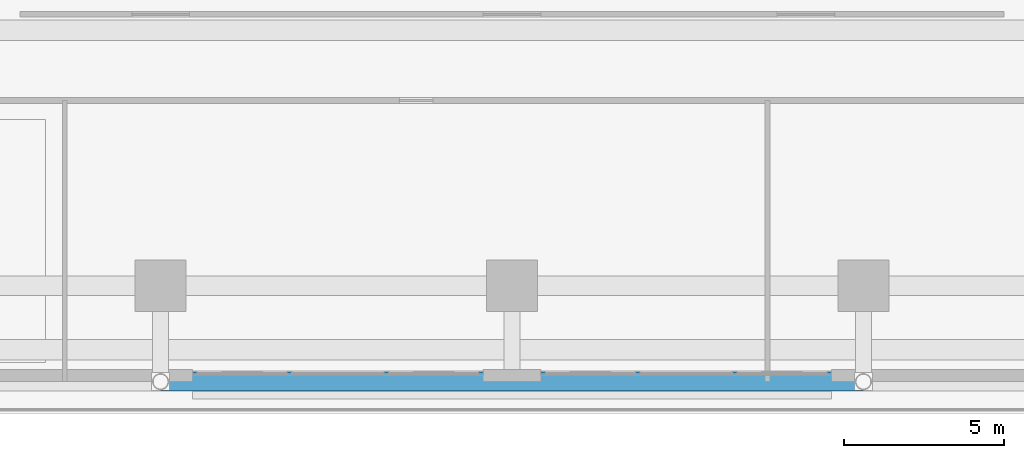
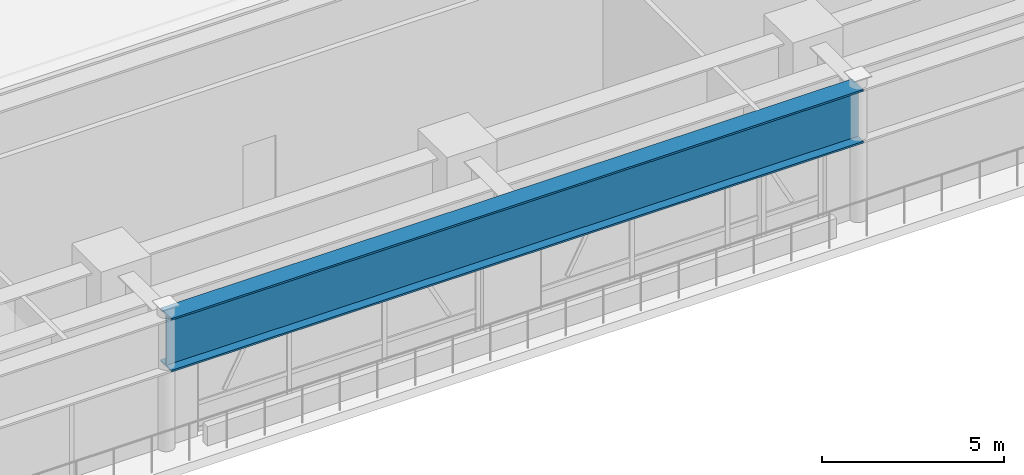
# One storey, part 11 of 38: 1 beam.
"""IFC4 building model written with IfcOpenShell, lengths in metres."""

from ifc_helpers import new_model, si_unit, direction, frame, origin, origin_2d, place, context, subcontext, project, spatial, i_section, extrude, source, transform, mapped, material, material_profile, profile_set, type_object, element, save


model = new_model("IFC4")

# Units and contexts
model_context = context("Model", 3, precision=1e-05, world=origin(), true_north=direction((0.0, 1.0)))
body_context = subcontext(model_context, "Body", "Model", "MODEL_VIEW")
ifc_project = project(units=[si_unit("LENGTHUNIT", "METRE"), si_unit("AREAUNIT", "SQUARE_METRE"), si_unit("VOLUMEUNIT", "CUBIC_METRE"), si_unit("PLANEANGLEUNIT", "RADIAN"), si_unit("MASSUNIT", "GRAM", prefix="KILO")], contexts=[model_context])

# Site, building, storey
site_placement = place(None, origin())
site = spatial("IfcSite", under=ifc_project, at=site_placement, CompositionType="ELEMENT")
building_placement = place(site_placement, origin())
building = spatial("IfcBuilding", under=site, at=building_placement, Name="Khorayat Bourse Tower", CompositionType="ELEMENT")
storey_placement = place(building_placement, frame((0.0, 0.0, 17.39990234375)))
storey = spatial("IfcBuildingStorey", under=building, at=storey_placement, Name="L03", CompositionType="ELEMENT", Elevation=17.39990234375)

# Beam
ifc_material = material(Name="Steel EN 10025-4 S460M", Category="steel")
ifc_material_profile = material_profile(ifc_material, i_section(OverallWidth=0.60009765625, OverallDepth=1.800048828125, WebThickness=0.031982421875, FlangeThickness=0.06005859375, at=origin_2d()), Name="PG 1800x600x32x60")
ifc_profile_set = profile_set([ifc_material_profile], Name="Steel EN 10025-4 S460M")
beam_type = type_object("IfcBeamType", Name="BM-TR-1800", PredefinedType="BEAM", material=ifc_profile_set)
shared_shape = source(origin(), body_context, "Body", "SweptSolid", [
    extrude(i_section(OverallWidth=0.60009765625, OverallDepth=1.800048828125, WebThickness=0.031982421875, FlangeThickness=0.06005859375, at=origin_2d()), origin(), (0.0, 0.0, 1.0), 22.0),
])
beam_placement = place(storey_placement, frame((-11.0, -35.0, 3.580078125), z_axis=(1.0, 0.0, 0.0), x_axis=(0.0, 1.0, 0.0)))
element("IfcBeam", 1, at=beam_placement, inside=storey, type_object=beam_type, Name="L03 BM-TR-1800 BM-L03-PGX-027", PredefinedType="BEAM", context=body_context, shape_type="MappedRepresentation", body=[
    mapped(shared_shape, transform((0.0, 0.0, 0.0), scale=1.0)),
])

save(model, "model.ifc")
